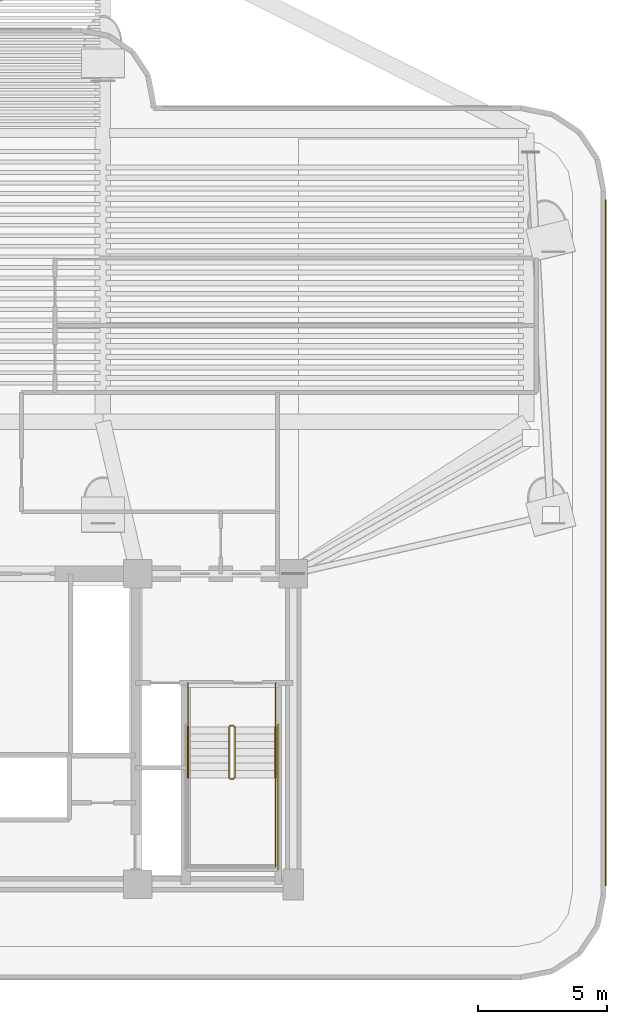
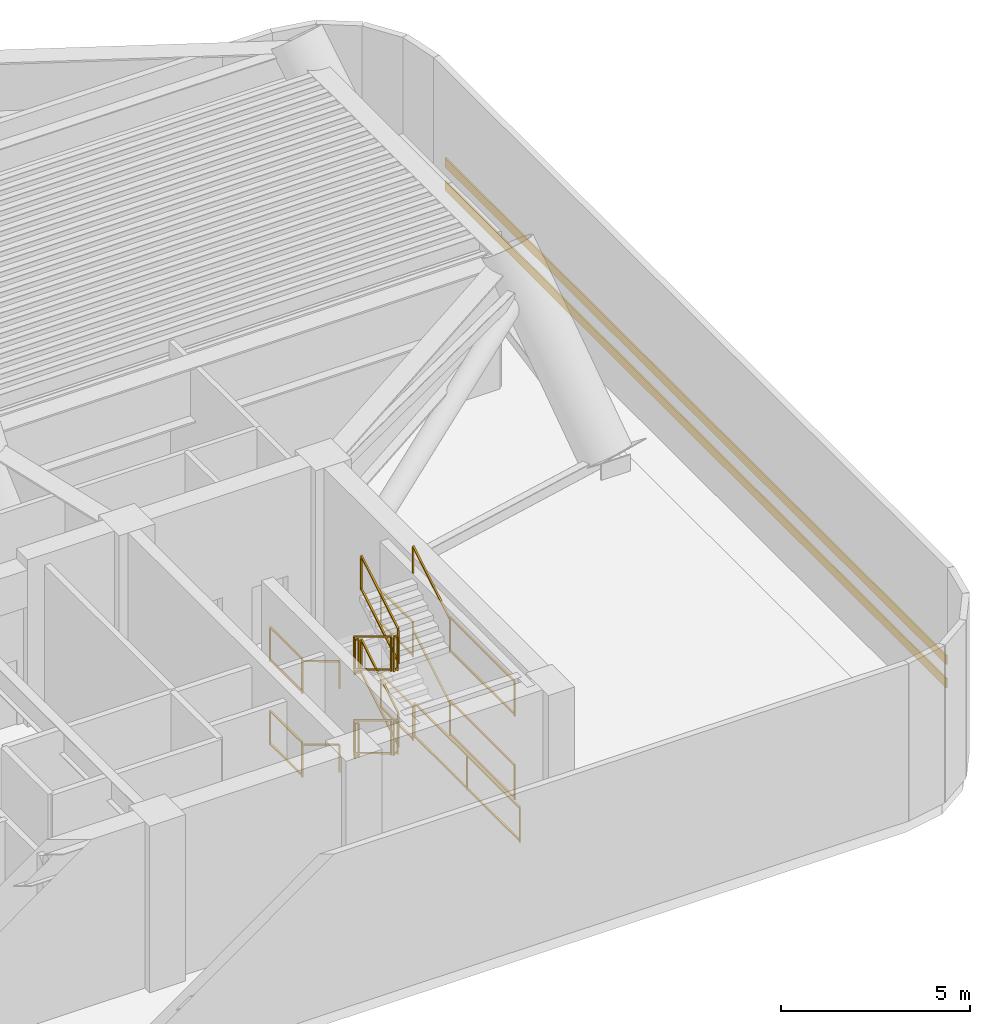
# One storey, part 10 of 11: 19 railings, 2 shading devices.
"""IFC4 building model written with IfcOpenShell, lengths in metres."""

from ifc_helpers import new_model, si_unit, direction, frame, origin, origin_2d, place, context, subcontext, project, spatial, rectangle, extrude, source, transform, mapped, material, layer, layer_set, material_profile, profile_set, type_object, element, save


model = new_model("IFC4")

# Units and contexts
model_context = context("Model", 3, precision=1e-05, world=origin(), true_north=direction((0.0, 1.0)))
body_context = subcontext(model_context, "Body", "Model", "MODEL_VIEW")
ifc_project = project(units=[si_unit("LENGTHUNIT", "METRE"), si_unit("AREAUNIT", "SQUARE_METRE"), si_unit("VOLUMEUNIT", "CUBIC_METRE"), si_unit("PLANEANGLEUNIT", "RADIAN"), si_unit("MASSUNIT", "GRAM", prefix="KILO")], contexts=[model_context])

# Site, building, storey
site_placement = place(None, origin())
site = spatial("IfcSite", under=ifc_project, at=site_placement, CompositionType="ELEMENT")
building_placement = place(site_placement, origin())
building = spatial("IfcBuilding", under=site, at=building_placement, Name="Brelvock Crest Care Tower", CompositionType="ELEMENT")
storey_placement = place(building_placement, frame((0.0, 0.0, 79.919921875)))
storey = spatial("IfcBuildingStorey", under=building, at=storey_placement, Name="L20", CompositionType="ELEMENT", Elevation=79.919921875)

# Railings
ifc_material_1 = material(Name="Steel Grade 350", Category="steel")
ifc_layer_1 = layer(ifc_material_1, 0.050048828125, Name="RL-STG1")
ifc_layer_set_1 = layer_set([ifc_layer_1], Name="Steel Grade 350")
railing_type_1 = type_object("IfcRailingType", Name="RL-STG1", PredefinedType="GUARDRAIL", material=ifc_layer_set_1)
railing_1_placement = place(storey_placement, frame((45.52001953125, 12.080078125, 0.1689453125)))
element("IfcRailing", 1, at=railing_1_placement, inside=storey, type_object=railing_type_1, Name="L20 ST-2 stair guard 1", PredefinedType="GUARDRAIL", context=body_context, shape_type="SweptSolid", body=[
    extrude(rectangle(XDim=0.048095703125, YDim=0.048095703125, at=origin_2d()), frame((0.0, -0.001708984375, 1.116943359375), z_axis=(0.0, -0.856493463811, 0.516157869696), x_axis=(1.0, 0.0, 0.0)), (0.0, 0.0, 1.0), 2.284423828125),
    extrude(rectangle(XDim=0.048095703125, YDim=0.048095703125, at=origin_2d()), frame((0.0, -0.001708984375, 0.05615234375), z_axis=(0.0, -0.856493463811, 0.516157869696), x_axis=(1.0, 0.0, 0.0)), (0.0, 0.0, 1.0), 2.284423828125),
    extrude(rectangle(XDim=0.0419921875, YDim=0.0419921875, at=origin_2d()), origin(), (0.0, 0.0, 1.0), 1.08984375),
    extrude(rectangle(XDim=0.0419921875, YDim=0.0419921875, at=origin_2d()), frame((0.0, -1.9599609375, 1.18115234375)), (0.0, 0.0, 1.0), 1.08984375),
])
railing_2_placement = place(storey_placement, frame((45.570068359375, 10.070068359375, 1.35009765625)))
element("IfcRailing", 2, at=railing_2_placement, inside=storey, type_object=railing_type_1, Name="L20 ST-2 stair guard 2", PredefinedType="GUARDRAIL", context=body_context, shape_type="SweptSolid", body=[
    extrude(rectangle(XDim=0.048095703125, YDim=0.048095703125, at=origin_2d()), frame((0.001953125, 0.0, 1.11572265625), z_axis=(1.0, 0.0, 0.0), x_axis=(0.0, 1.0, 0.0)), (0.0, 0.0, 1.0), 0.115966796875),
    extrude(rectangle(XDim=0.048095703125, YDim=0.048095703125, at=origin_2d()), frame((0.001953125, 0.0, 0.054931640625), z_axis=(1.0, 0.0, 0.0), x_axis=(0.0, 1.0, 0.0)), (0.0, 0.0, 1.0), 0.115966796875),
    extrude(rectangle(XDim=0.0419921875, YDim=0.0419921875, at=origin_2d()), origin(), (0.0, 0.0, 1.0), 1.08984375),
    extrude(rectangle(XDim=0.0419921875, YDim=0.0419921875, at=origin_2d()), frame((0.119873046875, 0.0, 0.0)), (0.0, 0.0, 1.0), 1.08984375),
])
railing_3_placement = place(storey_placement, frame((47.320068359375, 10.1201171875, 1.35009765625)))
element("IfcRailing", 3, at=railing_3_placement, inside=storey, type_object=railing_type_1, Name="L20 ST-2 stair guard 4", PredefinedType="GUARDRAIL", context=body_context, shape_type="SweptSolid", body=[
    extrude(rectangle(XDim=0.048095703125, YDim=0.048095703125, at=origin_2d()), frame((0.0, -0.001953125, 1.11572265625), z_axis=(0.0, -1.0, 0.0), x_axis=(1.0, 0.0, 0.0)), (0.0, 0.0, 1.0), 3.416259765625),
    extrude(rectangle(XDim=0.048095703125, YDim=0.048095703125, at=origin_2d()), frame((0.0, -0.001953125, 0.054931640625), z_axis=(0.0, -1.0, 0.0), x_axis=(1.0, 0.0, 0.0)), (0.0, 0.0, 1.0), 3.416259765625),
    extrude(rectangle(XDim=0.0419921875, YDim=0.0419921875, at=origin_2d()), origin(), (0.0, 0.0, 1.0), 1.08984375),
    extrude(rectangle(XDim=0.0419921875, YDim=0.0419921875, at=origin_2d()), frame((0.0, -3.420166015625, 0.0)), (0.0, 0.0, 1.0), 1.08984375),
])
railing_4_placement = place(storey_placement, frame((45.739990234375, 10.1201171875, 1.518798828125)))
element("IfcRailing", 4, at=railing_4_placement, inside=storey, type_object=railing_type_1, Name="L20 ST-2 stair guard 6", PredefinedType="GUARDRAIL", context=body_context, shape_type="SweptSolid", body=[
    extrude(rectangle(XDim=0.048095703125, YDim=0.048095703125, at=origin_2d()), frame((0.0, 0.001708984375, 1.116943359375), z_axis=(0.0, 0.856446297458, 0.516236127728), x_axis=(-1.0, 0.0, 0.0)), (0.0, 0.0, 1.0), 2.284423828125),
    extrude(rectangle(XDim=0.048095703125, YDim=0.048095703125, at=origin_2d()), frame((0.0, 0.001708984375, 0.05615234375), z_axis=(0.0, 0.856446297458, 0.516236127728), x_axis=(-1.0, 0.0, 0.0)), (0.0, 0.0, 1.0), 2.284423828125),
    extrude(rectangle(XDim=0.0419921875, YDim=0.0419921875, at=origin_2d()), origin(), (0.0, 0.0, 1.0), 1.08984375),
    extrude(rectangle(XDim=0.0419921875, YDim=0.0419921875, at=origin_2d()), frame((0.0, 1.9599609375, 1.181396484375)), (0.0, 0.0, 1.0), 1.08984375),
])
railing_5_placement = place(storey_placement, frame((45.570068359375, 12.1298828125, 2.7001953125)))
element("IfcRailing", 5, at=railing_5_placement, inside=storey, type_object=railing_type_1, Name="L20 ST-2 stair guard 7", PredefinedType="GUARDRAIL", context=body_context, shape_type="SweptSolid", body=[
    extrude(rectangle(XDim=0.048095703125, YDim=0.048095703125, at=origin_2d()), frame((0.001953125, 0.0, 1.11572265625), z_axis=(1.0, 0.0, 0.0), x_axis=(0.0, 1.0, 0.0)), (0.0, 0.0, 1.0), 0.115966796875),
    extrude(rectangle(XDim=0.048095703125, YDim=0.048095703125, at=origin_2d()), frame((0.001953125, 0.0, 0.054931640625), z_axis=(1.0, 0.0, 0.0), x_axis=(0.0, 1.0, 0.0)), (0.0, 0.0, 1.0), 0.115966796875),
    extrude(rectangle(XDim=0.0419921875, YDim=0.0419921875, at=origin_2d()), origin(), (0.0, 0.0, 1.0), 1.08984375),
    extrude(rectangle(XDim=0.0419921875, YDim=0.0419921875, at=origin_2d()), frame((0.119873046875, 0.0, 0.0)), (0.0, 0.0, 1.0), 1.08984375),
])
for number, where, name in (
    (6, (43.93994140625, 13.780029296875, 2.7001953125), "L20 ST-2 stair guard 8"),
    (7, (47.320068359375, 13.780029296875, 2.7001953125), "L20 ST-2 stair guard 9"),
):
    element("IfcRailing", number, at=place(storey_placement, frame(where)), inside=storey, type_object=railing_type_1, Name=name, PredefinedType="GUARDRAIL", context=body_context, shape_type="SweptSolid", body=[
        extrude(rectangle(XDim=0.048095703125, YDim=0.048095703125, at=origin_2d()), frame((0.0, -0.001953125, 1.11572265625), z_axis=(0.0, -1.0, 0.0), x_axis=(1.0, 0.0, 0.0)), (0.0, 0.0, 1.0), 1.696044921875),
        extrude(rectangle(XDim=0.048095703125, YDim=0.048095703125, at=origin_2d()), frame((0.0, -0.001953125, 0.054931640625), z_axis=(0.0, -1.0, 0.0), x_axis=(1.0, 0.0, 0.0)), (0.0, 0.0, 1.0), 1.696044921875),
        extrude(rectangle(XDim=0.0419921875, YDim=0.0419921875, at=origin_2d()), origin(), (0.0, 0.0, 1.0), 1.08984375),
        extrude(rectangle(XDim=0.0419921875, YDim=0.0419921875, at=origin_2d()), frame((0.0, -1.699951171875, 0.0)), (0.0, 0.0, 1.0), 1.08984375),
    ])
railing_6_placement = place(storey_placement, frame((45.52001953125, 12.080078125, 2.868896484375)))
element("IfcRailing", 8, at=railing_6_placement, inside=storey, type_object=railing_type_1, Name="L20 ST-2 stair guard 10", PredefinedType="GUARDRAIL", context=body_context, shape_type="SweptSolid", body=[
    extrude(rectangle(XDim=0.048095703125, YDim=0.048095703125, at=origin_2d()), frame((0.0, -0.001708984375, 1.116943359375), z_axis=(0.0, -0.856493463811, 0.516157869696), x_axis=(1.0, 0.0, 0.0)), (0.0, 0.0, 1.0), 2.284423828125),
    extrude(rectangle(XDim=0.048095703125, YDim=0.048095703125, at=origin_2d()), frame((0.0, -0.001708984375, 0.05615234375), z_axis=(0.0, -0.856493463811, 0.516157869696), x_axis=(1.0, 0.0, 0.0)), (0.0, 0.0, 1.0), 2.284423828125),
    extrude(rectangle(XDim=0.0419921875, YDim=0.0419921875, at=origin_2d()), origin(), (0.0, 0.0, 1.0), 1.08984375),
    extrude(rectangle(XDim=0.0419921875, YDim=0.0419921875, at=origin_2d()), frame((0.0, -1.9599609375, 1.18115234375)), (0.0, 0.0, 1.0), 1.08984375),
])
railing_7_placement = place(storey_placement, frame((45.570068359375, 10.070068359375, 4.050048828125)))
element("IfcRailing", 9, at=railing_7_placement, inside=storey, type_object=railing_type_1, Name="L20 ST-2 stair guard 11", PredefinedType="GUARDRAIL", context=body_context, shape_type="SweptSolid", body=[
    extrude(rectangle(XDim=0.048095703125, YDim=0.048095703125, at=origin_2d()), frame((0.001953125, 0.0, 1.11572265625), z_axis=(1.0, 0.0, 0.0), x_axis=(0.0, 1.0, 0.0)), (0.0, 0.0, 1.0), 0.115966796875),
    extrude(rectangle(XDim=0.048095703125, YDim=0.048095703125, at=origin_2d()), frame((0.001953125, 0.0, 0.054931640625), z_axis=(1.0, 0.0, 0.0), x_axis=(0.0, 1.0, 0.0)), (0.0, 0.0, 1.0), 0.115966796875),
    extrude(rectangle(XDim=0.0419921875, YDim=0.0419921875, at=origin_2d()), origin(), (0.0, 0.0, 1.0), 1.08984375),
    extrude(rectangle(XDim=0.0419921875, YDim=0.0419921875, at=origin_2d()), frame((0.119873046875, 0.0, 0.0)), (0.0, 0.0, 1.0), 1.08984375),
])
railing_8_placement = place(storey_placement, frame((47.320068359375, 10.1201171875, 4.050048828125)))
element("IfcRailing", 10, at=railing_8_placement, inside=storey, type_object=railing_type_1, Name="L20 ST-2 stair guard 13", PredefinedType="GUARDRAIL", context=body_context, shape_type="SweptSolid", body=[
    extrude(rectangle(XDim=0.048095703125, YDim=0.048095703125, at=origin_2d()), frame((0.0, -0.001953125, 1.11572265625), z_axis=(0.0, -1.0, 0.0), x_axis=(1.0, 0.0, 0.0)), (0.0, 0.0, 1.0), 3.416259765625),
    extrude(rectangle(XDim=0.048095703125, YDim=0.048095703125, at=origin_2d()), frame((0.0, -0.001953125, 0.054931640625), z_axis=(0.0, -1.0, 0.0), x_axis=(1.0, 0.0, 0.0)), (0.0, 0.0, 1.0), 3.416259765625),
    extrude(rectangle(XDim=0.0419921875, YDim=0.0419921875, at=origin_2d()), origin(), (0.0, 0.0, 1.0), 1.08984375),
    extrude(rectangle(XDim=0.0419921875, YDim=0.0419921875, at=origin_2d()), frame((0.0, -3.420166015625, 0.0)), (0.0, 0.0, 1.0), 1.08984375),
])
railing_9_placement = place(storey_placement, frame((45.739990234375, 10.1201171875, 4.21875)))
element("IfcRailing", 11, at=railing_9_placement, inside=storey, type_object=railing_type_1, Name="L20 ST-2 stair guard 15", PredefinedType="GUARDRAIL", context=body_context, shape_type="SweptSolid", body=[
    extrude(rectangle(XDim=0.048095703125, YDim=0.048095703125, at=origin_2d()), frame((0.0, 0.001708984375, 1.116943359375), z_axis=(0.0, 0.856446297458, 0.516236127728), x_axis=(-1.0, 0.0, 0.0)), (0.0, 0.0, 1.0), 2.284423828125),
    extrude(rectangle(XDim=0.048095703125, YDim=0.048095703125, at=origin_2d()), frame((0.0, 0.001708984375, 0.05615234375), z_axis=(0.0, 0.856446297458, 0.516236127728), x_axis=(-1.0, 0.0, 0.0)), (0.0, 0.0, 1.0), 2.284423828125),
    extrude(rectangle(XDim=0.0419921875, YDim=0.0419921875, at=origin_2d()), origin(), (0.0, 0.0, 1.0), 1.08984375),
    extrude(rectangle(XDim=0.0419921875, YDim=0.0419921875, at=origin_2d()), frame((0.0, 1.9599609375, 1.181396484375)), (0.0, 0.0, 1.0), 1.08984375),
])
railing_10_placement = place(storey_placement, frame((45.570068359375, 12.1298828125, 0.0)))
element("IfcRailing", 12, at=railing_10_placement, inside=storey, type_object=railing_type_1, Name="L20 ST-2 stair guard 16", PredefinedType="GUARDRAIL", context=body_context, shape_type="SweptSolid", body=[
    extrude(rectangle(XDim=0.048095703125, YDim=0.048095703125, at=origin_2d()), frame((0.001953125, 0.0, 1.11572265625), z_axis=(1.0, 0.0, 0.0), x_axis=(0.0, 1.0, 0.0)), (0.0, 0.0, 1.0), 0.115966796875),
    extrude(rectangle(XDim=0.048095703125, YDim=0.048095703125, at=origin_2d()), frame((0.001953125, 0.0, 0.054931640625), z_axis=(1.0, 0.0, 0.0), x_axis=(0.0, 1.0, 0.0)), (0.0, 0.0, 1.0), 0.115966796875),
    extrude(rectangle(XDim=0.0419921875, YDim=0.0419921875, at=origin_2d()), origin(), (0.0, 0.0, 1.0), 1.08984375),
    extrude(rectangle(XDim=0.0419921875, YDim=0.0419921875, at=origin_2d()), frame((0.119873046875, 0.0, 0.0)), (0.0, 0.0, 1.0), 1.08984375),
])
for number, where, name in (
    (13, (43.93994140625, 13.780029296875, 0.0), "L20 ST-2 stair guard 17"),
    (14, (47.320068359375, 13.780029296875, 0.0), "L20 ST-2 stair guard 18"),
):
    element("IfcRailing", number, at=place(storey_placement, frame(where)), inside=storey, type_object=railing_type_1, Name=name, PredefinedType="GUARDRAIL", context=body_context, shape_type="SweptSolid", body=[
        extrude(rectangle(XDim=0.048095703125, YDim=0.048095703125, at=origin_2d()), frame((0.0, -0.001953125, 1.11572265625), z_axis=(0.0, -1.0, 0.0), x_axis=(1.0, 0.0, 0.0)), (0.0, 0.0, 1.0), 1.696044921875),
        extrude(rectangle(XDim=0.048095703125, YDim=0.048095703125, at=origin_2d()), frame((0.0, -0.001953125, 0.054931640625), z_axis=(0.0, -1.0, 0.0), x_axis=(1.0, 0.0, 0.0)), (0.0, 0.0, 1.0), 1.696044921875),
        extrude(rectangle(XDim=0.0419921875, YDim=0.0419921875, at=origin_2d()), origin(), (0.0, 0.0, 1.0), 1.08984375),
        extrude(rectangle(XDim=0.0419921875, YDim=0.0419921875, at=origin_2d()), frame((0.0, -1.699951171875, 0.0)), (0.0, 0.0, 1.0), 1.08984375),
    ])
railing_11_placement = place(storey_placement, frame((47.419921875, 12.179931640625, 0.0)))
element("IfcRailing", 15, at=railing_11_placement, inside=storey, type_object=railing_type_1, Name="L20 ST-2 stair guard 20", PredefinedType="GUARDRAIL", context=body_context, shape_type="SweptSolid", body=[
    extrude(rectangle(XDim=0.048095703125, YDim=0.048095703125, at=origin_2d()), frame((0.0, -0.001953125, 1.11572265625), z_axis=(0.0, -1.0, 0.0), x_axis=(1.0, 0.0, 0.0)), (0.0, 0.0, 1.0), 5.575927734375),
    extrude(rectangle(XDim=0.048095703125, YDim=0.048095703125, at=origin_2d()), frame((0.0, -0.001953125, 0.054931640625), z_axis=(0.0, -1.0, 0.0), x_axis=(1.0, 0.0, 0.0)), (0.0, 0.0, 1.0), 5.575927734375),
    extrude(rectangle(XDim=0.0419921875, YDim=0.0419921875, at=origin_2d()), origin(), (0.0, 0.0, 1.0), 1.08984375),
    extrude(rectangle(XDim=0.0419921875, YDim=0.0419921875, at=origin_2d()), frame((0.0, -2.7900390625, 0.0)), (0.0, 0.0, 1.0), 1.08984375),
    extrude(rectangle(XDim=0.0419921875, YDim=0.0419921875, at=origin_2d()), frame((0.0, -5.579833984375, 0.0)), (0.0, 0.0, 1.0), 1.08984375),
])
ifc_layer_2 = layer(ifc_material_1, 0.048095703125, Name="RL-STH1")
ifc_layer_set_2 = layer_set([ifc_layer_2], Name="Steel Grade 350")
railing_type_2 = type_object("IfcRailingType", Name="RL-STH1", PredefinedType="HANDRAIL", material=ifc_layer_set_2)
railing_12_placement = place(storey_placement, frame((43.93994140625, 12.080078125, 0.1689453125)))
element("IfcRailing", 16, at=railing_12_placement, inside=storey, type_object=railing_type_2, Name="L20 ST-2 stair handrail 1", PredefinedType="HANDRAIL", context=body_context, shape_type="SweptSolid", body=[
    extrude(rectangle(XDim=0.048095703125, YDim=0.048095703125, at=origin_2d()), frame((0.0, -0.001708984375, 0.876953125), z_axis=(0.0, -0.856493463811, 0.516157869696), x_axis=(1.0, 0.0, 0.0)), (0.0, 0.0, 1.0), 2.284423828125),
    extrude(rectangle(XDim=0.0419921875, YDim=0.0419921875, at=origin_2d()), origin(), (0.0, 0.0, 1.0), 0.849853515625),
    extrude(rectangle(XDim=0.0419921875, YDim=0.0419921875, at=origin_2d()), frame((0.0, -1.9599609375, 1.18115234375)), (0.0, 0.0, 1.0), 0.849853515625),
])
railing_13_placement = place(storey_placement, frame((47.320068359375, 10.1201171875, 1.518798828125)))
element("IfcRailing", 17, at=railing_13_placement, inside=storey, type_object=railing_type_2, Name="L20 ST-2 stair handrail 2", PredefinedType="HANDRAIL", context=body_context, shape_type="SweptSolid", body=[
    extrude(rectangle(XDim=0.048095703125, YDim=0.048095703125, at=origin_2d()), frame((0.0, 0.001708984375, 0.876953125), z_axis=(0.0, 0.856446297458, 0.516236127728), x_axis=(-1.0, 0.0, 0.0)), (0.0, 0.0, 1.0), 2.284423828125),
    extrude(rectangle(XDim=0.0419921875, YDim=0.0419921875, at=origin_2d()), origin(), (0.0, 0.0, 1.0), 0.849853515625),
    extrude(rectangle(XDim=0.0419921875, YDim=0.0419921875, at=origin_2d()), frame((0.0, 1.9599609375, 1.181396484375)), (0.0, 0.0, 1.0), 0.849853515625),
])
railing_14_placement = place(storey_placement, frame((43.93994140625, 12.080078125, 2.868896484375)))
element("IfcRailing", 18, at=railing_14_placement, inside=storey, type_object=railing_type_2, Name="L20 ST-2 stair handrail 3", PredefinedType="HANDRAIL", context=body_context, shape_type="SweptSolid", body=[
    extrude(rectangle(XDim=0.048095703125, YDim=0.048095703125, at=origin_2d()), frame((0.0, -0.001708984375, 0.876953125), z_axis=(0.0, -0.856493463811, 0.516157869696), x_axis=(1.0, 0.0, 0.0)), (0.0, 0.0, 1.0), 2.284423828125),
    extrude(rectangle(XDim=0.0419921875, YDim=0.0419921875, at=origin_2d()), origin(), (0.0, 0.0, 1.0), 0.849853515625),
    extrude(rectangle(XDim=0.0419921875, YDim=0.0419921875, at=origin_2d()), frame((0.0, -1.9599609375, 1.18115234375)), (0.0, 0.0, 1.0), 0.849853515625),
])
railing_15_placement = place(storey_placement, frame((47.320068359375, 10.1201171875, 4.21875)))
element("IfcRailing", 19, at=railing_15_placement, inside=storey, type_object=railing_type_2, Name="L20 ST-2 stair handrail 4", PredefinedType="HANDRAIL", context=body_context, shape_type="SweptSolid", body=[
    extrude(rectangle(XDim=0.048095703125, YDim=0.048095703125, at=origin_2d()), frame((0.0, 0.001708984375, 0.876953125), z_axis=(0.0, 0.856446297458, 0.516236127728), x_axis=(-1.0, 0.0, 0.0)), (0.0, 0.0, 1.0), 2.284423828125),
    extrude(rectangle(XDim=0.0419921875, YDim=0.0419921875, at=origin_2d()), origin(), (0.0, 0.0, 1.0), 0.849853515625),
    extrude(rectangle(XDim=0.0419921875, YDim=0.0419921875, at=origin_2d()), frame((0.0, 1.9599609375, 1.181396484375)), (0.0, 0.0, 1.0), 0.849853515625),
])

# Shading devices
ifc_material_2 = material(Name="Aluminium 6063-T6", Category="aluminium")
ifc_material_profile = material_profile(ifc_material_2, rectangle(XDim=0.044921875, YDim=0.300048828125, at=origin_2d()), Name="LOUVRE45x300")
ifc_profile_set = profile_set([ifc_material_profile], Name="Aluminium 6063-T6")
shading_device_type = type_object("IfcShadingDeviceType", Name="SHD-SH1", PredefinedType="SHUTTER", material=ifc_profile_set)
shared_shape = source(origin(), body_context, "Body", "SweptSolid", [
    extrude(rectangle(XDim=0.044921875, YDim=0.300048828125, at=origin_2d()), origin(), (0.0, 0.0, 1.0), 26.5),
])
for number, where, z_axis, x_axis, name in (
    (20, (60.074951171875, 32.449951171875, 1.10009765625), (0.0, -1.0, 0.0), (1.0, 0.0, 0.0), "L20 Crown Acoustic Louvre 03-1"),
    (21, (60.074951171875, 32.449951171875, 1.85009765625), (0.0, -1.0, 0.0), (1.0, 0.0, 0.0), "L20 Crown Acoustic Louvre 03-2"),
):
    element("IfcShadingDevice", number, at=place(storey_placement, frame(where, z_axis=z_axis, x_axis=x_axis)), inside=storey, type_object=shading_device_type, Name=name, PredefinedType="SHUTTER", context=body_context, shape_type="MappedRepresentation", body=[
        mapped(shared_shape, transform((0.0, 0.0, 0.0), x_axis=(1.0, 0.0, 0.0), y_axis=(0.0, 1.0, 0.0), z_axis=(0.0, 0.0, 1.0), scale=1.0)),
    ])

save(model, "model.ifc")
